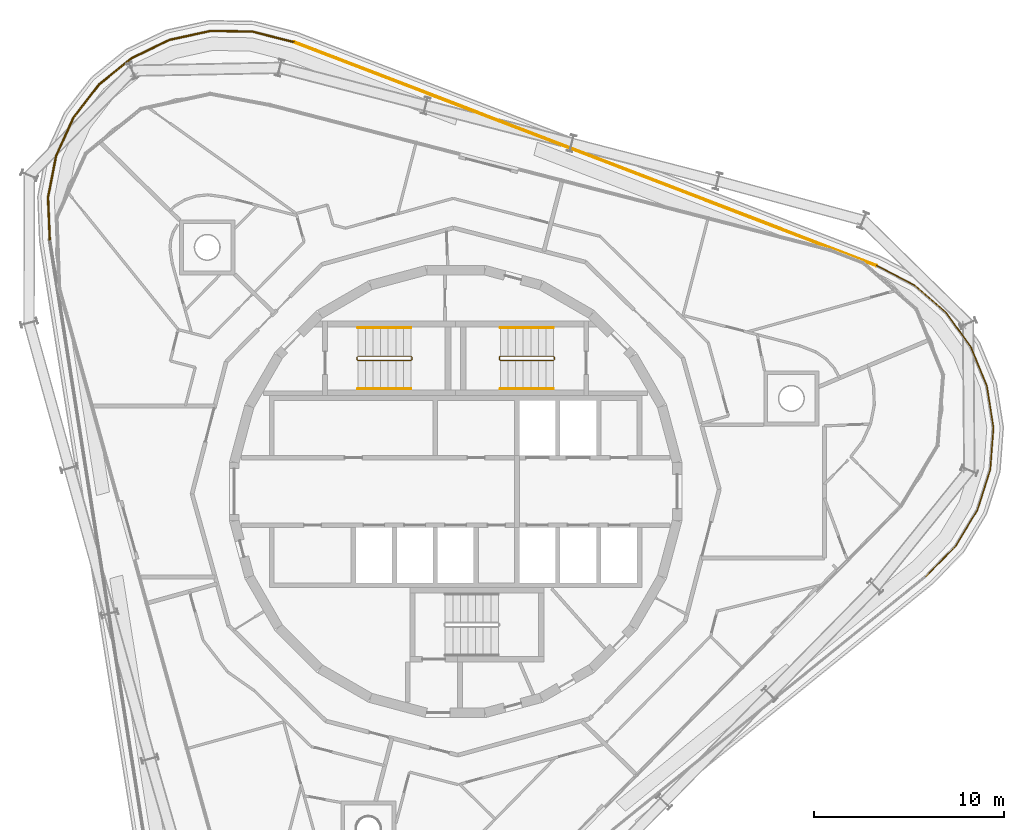
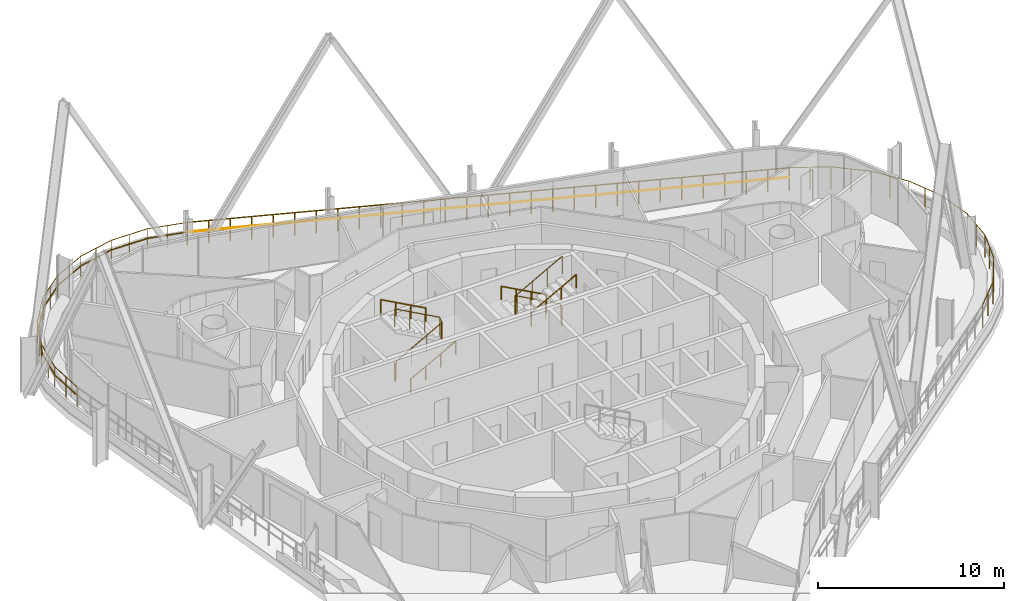
# One storey, part 17 of 18: 11 railings.
"""IFC4 building model written with IfcOpenShell, lengths in metres."""

from ifc_helpers import new_model, si_unit, direction, frame, origin, origin_2d, place, context, subcontext, project, spatial, circle, extrude, material, type_object, element, save


model = new_model("IFC4")

# Units and contexts
model_context = context("Model", 3, precision=1e-05, world=origin(), true_north=direction((0.0, 1.0)))
body_context = subcontext(model_context, "Body", "Model", "MODEL_VIEW")
ifc_project = project(units=[si_unit("LENGTHUNIT", "METRE"), si_unit("AREAUNIT", "SQUARE_METRE"), si_unit("VOLUMEUNIT", "CUBIC_METRE"), si_unit("PLANEANGLEUNIT", "RADIAN"), si_unit("MASSUNIT", "GRAM", prefix="KILO")], contexts=[model_context])

# Site, building, storey
site_placement = place(None, origin())
site = spatial("IfcSite", under=ifc_project, at=site_placement, CompositionType="ELEMENT")
building_placement = place(site_placement, origin())
building = spatial("IfcBuilding", under=site, at=building_placement, Name="Spindle Arch Residences", CompositionType="ELEMENT")
storey_placement = place(building_placement, frame((0.0, 0.0, 298.199951171875)))
storey = spatial("IfcBuildingStorey", under=building, at=storey_placement, Name="L76", CompositionType="ELEMENT", Elevation=298.199951171875)

# Railings
ifc_material_1 = material(Name="Steel, painted", Category="steel")
railing_type_1 = type_object("IfcRailingType", Name="Stair guard 1100", PredefinedType="GUARDRAIL", material=ifc_material_1)
railing_1_placement = place(storey_placement, frame((5.14990234375, 6.89990234375, 3.5)))
element("IfcRailing", 1, at=railing_1_placement, inside=storey, type_object=railing_type_1, Name="L76 ST1 stair guard 1", PredefinedType="GUARDRAIL", context=body_context, shape_type="SweptSolid", body=[
    extrude(circle(Radius=0.02392578125, at=origin_2d()), frame((0.0, 0.0, 1.17578125), z_axis=(-0.877357048833, 0.0, -0.479838106931), x_axis=(0.0, -1.0, 0.0)), (0.0, 0.0, 1.0), 3.191162109375),
    extrude(circle(Radius=0.02392578125, at=origin_2d()), frame((-2.7998046875, 0.0, -0.35546875), z_axis=(-0.217683172539, 0.217683172539, -0.951434744366), x_axis=(-0.707106781187, -0.707106781187, 0.0)), (0.0, 0.0, 1.0), 0.22998046875),
    extrude(circle(Radius=0.02392578125, at=origin_2d()), frame((-2.849853515625, 0.050048828125, -0.57421875), z_axis=(0.0, 1.0, 0.0), x_axis=(-1.0, 0.0, 0.0)), (0.0, 0.0, 1.0), 0.1201171875),
    extrude(circle(Radius=0.02392578125, at=origin_2d()), frame((-2.849853515625, 0.170166015625, -0.57421875), z_axis=(0.707106781187, 0.707106781187, 0.0), x_axis=(-0.707106781187, 0.707106781187, 0.0)), (0.0, 0.0, 1.0), 0.07080078125),
    extrude(circle(Radius=0.02392578125, at=origin_2d()), frame((-2.7998046875, 0.22021484375, -0.57421875), z_axis=(0.877357048833, 0.0, -0.479838106931), x_axis=(0.0, 1.0, 0.0)), (0.0, 0.0, 1.0), 3.191162109375),
    extrude(circle(Radius=0.02392578125, at=origin_2d()), frame((0.0, 0.22021484375, -2.10546875), z_axis=(0.217683172539, -0.217683172539, -0.951434744366), x_axis=(0.707106781187, 0.707106781187, 0.0)), (0.0, 0.0, 1.0), 0.22998046875),
    extrude(circle(Radius=0.02392578125, at=origin_2d()), frame((0.050048828125, 0.170166015625, -2.32421875), z_axis=(0.0, -1.0, 0.0), x_axis=(1.0, 0.0, 0.0)), (0.0, 0.0, 1.0), 0.1201171875),
    extrude(circle(Radius=0.02099609375, at=origin_2d()), origin(), (0.0, 0.0, 1.0), 1.15185546875),
    extrude(circle(Radius=0.02099609375, at=origin_2d()), frame((-0.933349609375, 0.0, -0.510498046875)), (0.0, 0.0, 1.0), 1.15185546875),
    extrude(circle(Radius=0.02099609375, at=origin_2d()), frame((-1.866455078125, 0.0, -1.020751953125)), (0.0, 0.0, 1.0), 1.15185546875),
    extrude(circle(Radius=0.02099609375, at=origin_2d()), frame((-2.7998046875, 0.0, -1.53125)), (0.0, 0.0, 1.0), 1.15185546875),
    extrude(circle(Radius=0.02099609375, at=origin_2d()), frame((-2.849853515625, 0.050048828125, -1.75)), (0.0, 0.0, 1.0), 1.15185546875),
    extrude(circle(Radius=0.02099609375, at=origin_2d()), frame((-2.849853515625, 0.170166015625, -1.75)), (0.0, 0.0, 1.0), 1.15185546875),
    extrude(circle(Radius=0.02099609375, at=origin_2d()), frame((-2.7998046875, 0.22021484375, -1.75)), (0.0, 0.0, 1.0), 1.15185546875),
    extrude(circle(Radius=0.02099609375, at=origin_2d()), frame((-1.866455078125, 0.22021484375, -2.260498046875)), (0.0, 0.0, 1.0), 1.15185546875),
    extrude(circle(Radius=0.02099609375, at=origin_2d()), frame((-0.933349609375, 0.22021484375, -2.770751953125)), (0.0, 0.0, 1.0), 1.15185546875),
    extrude(circle(Radius=0.02099609375, at=origin_2d()), frame((0.0, 0.22021484375, -3.28125)), (0.0, 0.0, 1.0), 1.15185546875),
    extrude(circle(Radius=0.02099609375, at=origin_2d()), frame((0.050048828125, 0.170166015625, -3.5)), (0.0, 0.0, 1.0), 1.15185546875),
    extrude(circle(Radius=0.02099609375, at=origin_2d()), frame((0.050048828125, 0.050048828125, -3.5)), (0.0, 0.0, 1.0), 1.15185546875),
])
railing_2_placement = place(storey_placement, frame((-5.14990234375, 7.1201171875, 3.5)))
element("IfcRailing", 2, at=railing_2_placement, inside=storey, type_object=railing_type_1, Name="L76 ST2 stair guard 1", PredefinedType="GUARDRAIL", context=body_context, shape_type="SweptSolid", body=[
    extrude(circle(Radius=0.02392578125, at=origin_2d()), frame((0.0, 0.0, 1.17578125), z_axis=(0.877357048833, 0.0, -0.479838106931), x_axis=(0.0, 1.0, 0.0)), (0.0, 0.0, 1.0), 3.191162109375),
    extrude(circle(Radius=0.02392578125, at=origin_2d()), frame((2.7998046875, 0.0, -0.35546875), z_axis=(0.217683172539, -0.217683172539, -0.951434744366), x_axis=(0.707106781187, 0.707106781187, 0.0)), (0.0, 0.0, 1.0), 0.22998046875),
    extrude(circle(Radius=0.02392578125, at=origin_2d()), frame((2.849853515625, -0.050048828125, -0.57421875), z_axis=(0.0, -1.0, 0.0), x_axis=(1.0, 0.0, 0.0)), (0.0, 0.0, 1.0), 0.1201171875),
    extrude(circle(Radius=0.02392578125, at=origin_2d()), frame((2.849853515625, -0.170166015625, -0.57421875), z_axis=(-0.707106781187, -0.707106781187, 0.0), x_axis=(0.707106781187, -0.707106781187, 0.0)), (0.0, 0.0, 1.0), 0.07080078125),
    extrude(circle(Radius=0.02392578125, at=origin_2d()), frame((2.7998046875, -0.22021484375, -0.57421875), z_axis=(-0.877357048833, 0.0, -0.479838106931), x_axis=(0.0, -1.0, 0.0)), (0.0, 0.0, 1.0), 3.191162109375),
    extrude(circle(Radius=0.02392578125, at=origin_2d()), frame((0.0, -0.22021484375, -2.10546875), z_axis=(-0.217683172539, 0.217683172539, -0.951434744366), x_axis=(-0.707106781187, -0.707106781187, 0.0)), (0.0, 0.0, 1.0), 0.22998046875),
    extrude(circle(Radius=0.02392578125, at=origin_2d()), frame((-0.050048828125, -0.170166015625, -2.32421875), z_axis=(0.0, 1.0, 0.0), x_axis=(-1.0, 0.0, 0.0)), (0.0, 0.0, 1.0), 0.1201171875),
    extrude(circle(Radius=0.02099609375, at=origin_2d()), origin(), (0.0, 0.0, 1.0), 1.15185546875),
    extrude(circle(Radius=0.02099609375, at=origin_2d()), frame((0.933349609375, 0.0, -0.510498046875)), (0.0, 0.0, 1.0), 1.15185546875),
    extrude(circle(Radius=0.02099609375, at=origin_2d()), frame((1.866455078125, 0.0, -1.020751953125)), (0.0, 0.0, 1.0), 1.15185546875),
    extrude(circle(Radius=0.02099609375, at=origin_2d()), frame((2.7998046875, 0.0, -1.53125)), (0.0, 0.0, 1.0), 1.15185546875),
    extrude(circle(Radius=0.02099609375, at=origin_2d()), frame((2.849853515625, -0.050048828125, -1.75)), (0.0, 0.0, 1.0), 1.15185546875),
    extrude(circle(Radius=0.02099609375, at=origin_2d()), frame((2.849853515625, -0.170166015625, -1.75)), (0.0, 0.0, 1.0), 1.15185546875),
    extrude(circle(Radius=0.02099609375, at=origin_2d()), frame((2.7998046875, -0.22021484375, -1.75)), (0.0, 0.0, 1.0), 1.15185546875),
    extrude(circle(Radius=0.02099609375, at=origin_2d()), frame((1.866455078125, -0.22021484375, -2.260498046875)), (0.0, 0.0, 1.0), 1.15185546875),
    extrude(circle(Radius=0.02099609375, at=origin_2d()), frame((0.933349609375, -0.22021484375, -2.770751953125)), (0.0, 0.0, 1.0), 1.15185546875),
    extrude(circle(Radius=0.02099609375, at=origin_2d()), frame((0.0, -0.22021484375, -3.28125)), (0.0, 0.0, 1.0), 1.15185546875),
    extrude(circle(Radius=0.02099609375, at=origin_2d()), frame((-0.050048828125, -0.170166015625, -3.5)), (0.0, 0.0, 1.0), 1.15185546875),
    extrude(circle(Radius=0.02099609375, at=origin_2d()), frame((-0.050048828125, -0.050048828125, -3.5)), (0.0, 0.0, 1.0), 1.15185546875),
])
ifc_material_2 = material(Name="Steel, painted", Category="steel")
railing_type_2 = type_object("IfcRailingType", Name="Stair handrail 900", PredefinedType="HANDRAIL", material=ifc_material_2)
railing_3_placement = place(storey_placement, frame((5.14990234375, 8.6201171875, 0.21875)))
element("IfcRailing", 3, at=railing_3_placement, inside=storey, type_object=railing_type_2, Name="L76 ST1 stair handrail 1", PredefinedType="HANDRAIL", context=body_context, shape_type="SweptSolid", body=[
    extrude(circle(Radius=0.02392578125, at=origin_2d()), frame((0.0, 0.0, 0.8759765625), z_axis=(-0.877357048833, 0.0, 0.479838106931), x_axis=(0.0, -1.0, 0.0)), (0.0, 0.0, 1.0), 3.191162109375),
    extrude(circle(Radius=0.02099609375, at=origin_2d()), origin(), (0.0, 0.0, 1.0), 0.851806640625),
    extrude(circle(Radius=0.02099609375, at=origin_2d()), frame((-0.933349609375, 0.0, 0.510498046875)), (0.0, 0.0, 1.0), 0.851806640625),
    extrude(circle(Radius=0.02099609375, at=origin_2d()), frame((-1.866455078125, 0.0, 1.020751953125)), (0.0, 0.0, 1.0), 0.851806640625),
    extrude(circle(Radius=0.02099609375, at=origin_2d()), frame((-2.7998046875, 0.0, 1.53125)), (0.0, 0.0, 1.0), 0.851806640625),
])
for number, where, name in (
    (4, (2.35009765625, 5.39990234375, 1.96875), "L76 ST1 stair handrail 2"),
    (5, (-5.14990234375, 5.39990234375, 0.21875), "L76 ST2 stair handrail 1"),
):
    element("IfcRailing", number, at=place(storey_placement, frame(where)), inside=storey, type_object=railing_type_2, Name=name, PredefinedType="HANDRAIL", context=body_context, shape_type="SweptSolid", body=[
        extrude(circle(Radius=0.02392578125, at=origin_2d()), frame((0.0, 0.0, 0.8759765625), z_axis=(0.877357048833, 0.0, 0.479838106931), x_axis=(0.0, 1.0, 0.0)), (0.0, 0.0, 1.0), 3.191162109375),
        extrude(circle(Radius=0.02099609375, at=origin_2d()), origin(), (0.0, 0.0, 1.0), 0.851806640625),
        extrude(circle(Radius=0.02099609375, at=origin_2d()), frame((0.933349609375, 0.0, 0.510498046875)), (0.0, 0.0, 1.0), 0.851806640625),
        extrude(circle(Radius=0.02099609375, at=origin_2d()), frame((1.866455078125, 0.0, 1.020751953125)), (0.0, 0.0, 1.0), 0.851806640625),
        extrude(circle(Radius=0.02099609375, at=origin_2d()), frame((2.7998046875, 0.0, 1.53125)), (0.0, 0.0, 1.0), 0.851806640625),
    ])
railing_4_placement = place(storey_placement, frame((-2.35009765625, 8.6201171875, 1.96875)))
element("IfcRailing", 6, at=railing_4_placement, inside=storey, type_object=railing_type_2, Name="L76 ST2 stair handrail 2", PredefinedType="HANDRAIL", context=body_context, shape_type="SweptSolid", body=[
    extrude(circle(Radius=0.02392578125, at=origin_2d()), frame((0.0, 0.0, 0.8759765625), z_axis=(-0.877357048833, 0.0, 0.479838106931), x_axis=(0.0, -1.0, 0.0)), (0.0, 0.0, 1.0), 3.191162109375),
    extrude(circle(Radius=0.02099609375, at=origin_2d()), origin(), (0.0, 0.0, 1.0), 0.851806640625),
    extrude(circle(Radius=0.02099609375, at=origin_2d()), frame((-0.933349609375, 0.0, 0.510498046875)), (0.0, 0.0, 1.0), 0.851806640625),
    extrude(circle(Radius=0.02099609375, at=origin_2d()), frame((-1.866455078125, 0.0, 1.020751953125)), (0.0, 0.0, 1.0), 0.851806640625),
    extrude(circle(Radius=0.02099609375, at=origin_2d()), frame((-2.7998046875, 0.0, 1.53125)), (0.0, 0.0, 1.0), 0.851806640625),
])
ifc_material_3 = material(Name="Bronze anodised aluminium guard with glass infill", Category="aluminium")
railing_type_3 = type_object("IfcRailingType", Name="Terrace guard 1500", PredefinedType="GUARDRAIL", material=ifc_material_3)
railing_5_placement = place(storey_placement, frame((-21.380126953125, 13.23486328125, 0.030029296875)))
element("IfcRailing", 7, at=railing_5_placement, inside=storey, type_object=railing_type_3, Name="Terrace guard L75 4", PredefinedType="GUARDRAIL", context=body_context, shape_type="SweptSolid", body=[
    extrude(circle(Radius=0.02392578125, at=origin_2d()), frame((0.0, 0.0, 1.47607421875), z_axis=(-0.040713796438, 0.999170849645, 0.0), x_axis=(-0.999170849645, -0.040713796438, 0.0)), (0.0, 0.0, 1.0), 2.248779296875),
    extrude(circle(Radius=0.02392578125, at=origin_2d()), frame((-0.091552734375, 2.246826171875, 1.47607421875), z_axis=(0.190775316349, 0.981633729388, 0.0), x_axis=(-0.981633729388, 0.190775316349, 0.0)), (0.0, 0.0, 1.0), 2.216552734375),
    extrude(circle(Radius=0.02392578125, at=origin_2d()), frame((0.331298828125, 4.422607421875, 1.47607421875), z_axis=(0.41202636991, 0.911171921483, 0.0), x_axis=(-0.911171921483, 0.41202636991, 0.0)), (0.0, 0.0, 1.0), 2.216796875),
    extrude(circle(Radius=0.02392578125, at=origin_2d()), frame((1.24462890625, 6.4423828125, 1.47607421875), z_axis=(0.611115143099, 0.791541712024, 0.0), x_axis=(-0.791541712024, 0.611115143099, 0.0)), (0.0, 0.0, 1.0), 2.21630859375),
    extrude(circle(Radius=0.02392578125, at=origin_2d()), frame((2.59912109375, 8.19677734375, 1.47607421875), z_axis=(0.777093508013, 0.62938516014, 0.0), x_axis=(-0.62938516014, 0.777093508013, 0.0)), (0.0, 0.0, 1.0), 2.216552734375),
    extrude(circle(Radius=0.02392578125, at=origin_2d()), frame((4.321533203125, 9.591796875, 1.47607421875), z_axis=(0.901344222183, 0.433103443923, 0.0), x_axis=(-0.433103443923, 0.901344222183, 0.0)), (0.0, 0.0, 1.0), 2.216552734375),
    extrude(circle(Radius=0.02392578125, at=origin_2d()), frame((6.3193359375, 10.5517578125, 1.47607421875), z_axis=(0.9769251615, 0.213581901922, 0.0), x_axis=(-0.213581901922, 0.9769251615, 0.0)), (0.0, 0.0, 1.0), 2.21630859375),
    extrude(circle(Radius=0.02392578125, at=origin_2d()), frame((8.484619140625, 11.025146484375, 1.47607421875), z_axis=(0.999848572356, -0.01740207914, 0.0), x_axis=(0.01740207914, 0.999848572356, 0.0)), (0.0, 0.0, 1.0), 2.216552734375),
    extrude(circle(Radius=0.02392578125, at=origin_2d()), frame((10.700927734375, 10.986572265625, 1.47607421875), z_axis=(0.968877832171, -0.247539383387, 0.0), x_axis=(0.247539383387, 0.968877832171, 0.0)), (0.0, 0.0, 1.0), 2.248779296875),
    extrude(circle(Radius=0.02099609375, at=origin_2d()), origin(), (0.0, 0.0, 1.0), 1.451904296875),
    extrude(circle(Radius=0.02099609375, at=origin_2d()), frame((-0.0458984375, 1.12353515625, 0.0)), (0.0, 0.0, 1.0), 1.451904296875),
    extrude(circle(Radius=0.02099609375, at=origin_2d()), frame((-0.091552734375, 2.246826171875, 0.0)), (0.0, 0.0, 1.0), 1.451904296875),
    extrude(circle(Radius=0.02099609375, at=origin_2d()), frame((0.119873046875, 3.334716796875, 0.0)), (0.0, 0.0, 1.0), 1.451904296875),
    extrude(circle(Radius=0.02099609375, at=origin_2d()), frame((0.331298828125, 4.422607421875, 0.0)), (0.0, 0.0, 1.0), 1.451904296875),
    extrude(circle(Radius=0.02099609375, at=origin_2d()), frame((0.7880859375, 5.4326171875, 0.0)), (0.0, 0.0, 1.0), 1.451904296875),
    extrude(circle(Radius=0.02099609375, at=origin_2d()), frame((1.24462890625, 6.4423828125, 0.0)), (0.0, 0.0, 1.0), 1.451904296875),
    extrude(circle(Radius=0.02099609375, at=origin_2d()), frame((1.921875, 7.319580078125, 0.0)), (0.0, 0.0, 1.0), 1.451904296875),
    extrude(circle(Radius=0.02099609375, at=origin_2d()), frame((2.59912109375, 8.19677734375, 0.0)), (0.0, 0.0, 1.0), 1.451904296875),
    extrude(circle(Radius=0.02099609375, at=origin_2d()), frame((3.46044921875, 8.894287109375, 0.0)), (0.0, 0.0, 1.0), 1.451904296875),
    extrude(circle(Radius=0.02099609375, at=origin_2d()), frame((4.321533203125, 9.591796875, 0.0)), (0.0, 0.0, 1.0), 1.451904296875),
    extrude(circle(Radius=0.02099609375, at=origin_2d()), frame((5.3203125, 10.07177734375, 0.0)), (0.0, 0.0, 1.0), 1.451904296875),
    extrude(circle(Radius=0.02099609375, at=origin_2d()), frame((6.3193359375, 10.5517578125, 0.0)), (0.0, 0.0, 1.0), 1.451904296875),
    extrude(circle(Radius=0.02099609375, at=origin_2d()), frame((7.40185546875, 10.78857421875, 0.0)), (0.0, 0.0, 1.0), 1.451904296875),
    extrude(circle(Radius=0.02099609375, at=origin_2d()), frame((8.484619140625, 11.025146484375, 0.0)), (0.0, 0.0, 1.0), 1.451904296875),
    extrude(circle(Radius=0.02099609375, at=origin_2d()), frame((9.5927734375, 11.005859375, 0.0)), (0.0, 0.0, 1.0), 1.451904296875),
    extrude(circle(Radius=0.02099609375, at=origin_2d()), frame((10.700927734375, 10.986572265625, 0.0)), (0.0, 0.0, 1.0), 1.451904296875),
    extrude(circle(Radius=0.02099609375, at=origin_2d()), frame((11.790283203125, 10.708251953125, 0.0)), (0.0, 0.0, 1.0), 1.451904296875),
    extrude(circle(Radius=0.02099609375, at=origin_2d()), frame((12.879638671875, 10.429931640625, 0.0)), (0.0, 0.0, 1.0), 1.451904296875),
])
railing_6_placement = place(storey_placement, frame((-8.50048828125, 23.664794921875, 0.030029296875)))
element("IfcRailing", 8, at=railing_6_placement, inside=storey, type_object=railing_type_3, Name="Terrace guard L75 5", PredefinedType="GUARDRAIL", context=body_context, shape_type="SweptSolid", body=[
    extrude(circle(Radius=0.02392578125, at=origin_2d()), frame((0.0, 0.0, 1.47607421875), z_axis=(0.93358017107, -0.358368614954, 0.0), x_axis=(0.358368614954, 0.93358017107, 0.0)), (0.0, 0.0, 1.0), 32.8330078125),
    extrude(circle(Radius=0.02099609375, at=origin_2d()), origin(), (0.0, 0.0, 1.0), 1.451904296875),
    extrude(circle(Radius=0.02099609375, at=origin_2d()), frame((1.0947265625, -0.420166015625, 0.0)), (0.0, 0.0, 1.0), 1.451904296875),
    extrude(circle(Radius=0.02099609375, at=origin_2d()), frame((2.189453125, -0.84033203125, 0.0)), (0.0, 0.0, 1.0), 1.451904296875),
    extrude(circle(Radius=0.02099609375, at=origin_2d()), frame((3.2841796875, -1.2607421875, 0.0)), (0.0, 0.0, 1.0), 1.451904296875),
    extrude(circle(Radius=0.02099609375, at=origin_2d()), frame((4.37890625, -1.680908203125, 0.0)), (0.0, 0.0, 1.0), 1.451904296875),
    extrude(circle(Radius=0.02099609375, at=origin_2d()), frame((5.4736328125, -2.10107421875, 0.0)), (0.0, 0.0, 1.0), 1.451904296875),
    extrude(circle(Radius=0.02099609375, at=origin_2d()), frame((6.568359375, -2.521484375, 0.0)), (0.0, 0.0, 1.0), 1.451904296875),
    extrude(circle(Radius=0.02099609375, at=origin_2d()), frame((7.6630859375, -2.941650390625, 0.0)), (0.0, 0.0, 1.0), 1.451904296875),
    extrude(circle(Radius=0.02099609375, at=origin_2d()), frame((8.7578125, -3.36181640625, 0.0)), (0.0, 0.0, 1.0), 1.451904296875),
    extrude(circle(Radius=0.02099609375, at=origin_2d()), frame((9.8525390625, -3.781982421875, 0.0)), (0.0, 0.0, 1.0), 1.451904296875),
    extrude(circle(Radius=0.02099609375, at=origin_2d()), frame((10.947265625, -4.2021484375, 0.0)), (0.0, 0.0, 1.0), 1.451904296875),
    extrude(circle(Radius=0.02099609375, at=origin_2d()), frame((12.0419921875, -4.62255859375, 0.0)), (0.0, 0.0, 1.0), 1.451904296875),
    extrude(circle(Radius=0.02099609375, at=origin_2d()), frame((13.13671875, -5.042724609375, 0.0)), (0.0, 0.0, 1.0), 1.451904296875),
    extrude(circle(Radius=0.02099609375, at=origin_2d()), frame((14.2314453125, -5.462890625, 0.0)), (0.0, 0.0, 1.0), 1.451904296875),
    extrude(circle(Radius=0.02099609375, at=origin_2d()), frame((15.326171875, -5.88330078125, 0.0)), (0.0, 0.0, 1.0), 1.451904296875),
    extrude(circle(Radius=0.02099609375, at=origin_2d()), frame((16.4208984375, -6.303466796875, 0.0)), (0.0, 0.0, 1.0), 1.451904296875),
    extrude(circle(Radius=0.02099609375, at=origin_2d()), frame((17.515625, -6.7236328125, 0.0)), (0.0, 0.0, 1.0), 1.451904296875),
    extrude(circle(Radius=0.02099609375, at=origin_2d()), frame((18.6103515625, -7.143798828125, 0.0)), (0.0, 0.0, 1.0), 1.451904296875),
    extrude(circle(Radius=0.02099609375, at=origin_2d()), frame((19.705078125, -7.564208984375, 0.0)), (0.0, 0.0, 1.0), 1.451904296875),
    extrude(circle(Radius=0.02099609375, at=origin_2d()), frame((20.7998046875, -7.984375, 0.0)), (0.0, 0.0, 1.0), 1.451904296875),
    extrude(circle(Radius=0.02099609375, at=origin_2d()), frame((21.89453125, -8.404541015625, 0.0)), (0.0, 0.0, 1.0), 1.451904296875),
    extrude(circle(Radius=0.02099609375, at=origin_2d()), frame((22.9892578125, -8.82470703125, 0.0)), (0.0, 0.0, 1.0), 1.451904296875),
    extrude(circle(Radius=0.02099609375, at=origin_2d()), frame((24.083984375, -9.2451171875, 0.0)), (0.0, 0.0, 1.0), 1.451904296875),
    extrude(circle(Radius=0.02099609375, at=origin_2d()), frame((25.1787109375, -9.665283203125, 0.0)), (0.0, 0.0, 1.0), 1.451904296875),
    extrude(circle(Radius=0.02099609375, at=origin_2d()), frame((26.2734375, -10.08544921875, 0.0)), (0.0, 0.0, 1.0), 1.451904296875),
    extrude(circle(Radius=0.02099609375, at=origin_2d()), frame((27.3681640625, -10.505615234375, 0.0)), (0.0, 0.0, 1.0), 1.451904296875),
    extrude(circle(Radius=0.02099609375, at=origin_2d()), frame((28.462890625, -10.92578125, 0.0)), (0.0, 0.0, 1.0), 1.451904296875),
    extrude(circle(Radius=0.02099609375, at=origin_2d()), frame((29.5576171875, -11.34619140625, 0.0)), (0.0, 0.0, 1.0), 1.451904296875),
    extrude(circle(Radius=0.02099609375, at=origin_2d()), frame((30.65234375, -11.766357421875, 0.0)), (0.0, 0.0, 1.0), 1.451904296875),
])
railing_7_placement = place(storey_placement, frame((22.15185546875, 11.8984375, 0.030029296875)))
element("IfcRailing", 9, at=railing_7_placement, inside=storey, type_object=railing_type_3, Name="Terrace guard L75 6", PredefinedType="GUARDRAIL", context=body_context, shape_type="SweptSolid", body=[
    extrude(circle(Radius=0.02392578125, at=origin_2d()), frame((0.0, 0.0, 1.47607421875), z_axis=(0.88566360906, -0.464327440053, 0.0), x_axis=(0.464327440053, 0.88566360906, 0.0)), (0.0, 0.0, 1.0), 2.248779296875),
    extrude(circle(Radius=0.02392578125, at=origin_2d()), frame((1.99169921875, -1.044189453125, 1.47607421875), z_axis=(0.754728816825, -0.656036899155, 0.0), x_axis=(0.656036899155, 0.754728816825, 0.0)), (0.0, 0.0, 1.0), 2.216552734375),
    extrude(circle(Radius=0.02392578125, at=origin_2d()), frame((3.66455078125, -2.498291015625, 1.47607421875), z_axis=(0.58301853454, -0.812458853347, 0.0), x_axis=(0.812458853347, 0.58301853454, 0.0)), (0.0, 0.0, 1.0), 2.216552734375),
    extrude(circle(Radius=0.02392578125, at=origin_2d()), frame((4.956787109375, -4.299072265625, 1.47607421875), z_axis=(0.379996268894, -0.92498801918, 0.0), x_axis=(0.92498801918, 0.379996268894, 0.0)), (0.0, 0.0, 1.0), 2.216552734375),
    extrude(circle(Radius=0.02392578125, at=origin_2d()), frame((5.799072265625, -6.349365234375, 1.47607421875), z_axis=(0.156409398984, -0.987692310342, 0.0), x_axis=(0.987692310342, 0.156409398984, 0.0)), (0.0, 0.0, 1.0), 2.216552734375),
    extrude(circle(Radius=0.02392578125, at=origin_2d()), frame((6.145751953125, -8.53857421875, 1.47607421875), z_axis=(-0.075559365435, -0.997141305079, 0.0), x_axis=(0.997141305079, -0.075559365435, 0.0)), (0.0, 0.0, 1.0), 2.216552734375),
    extrude(circle(Radius=0.02392578125, at=origin_2d()), frame((5.978271484375, -10.748779296875, 1.47607421875), z_axis=(-0.303444598815, -0.95284908325, 0.0), x_axis=(0.95284908325, -0.303444598815, 0.0)), (0.0, 0.0, 1.0), 2.216552734375),
    extrude(circle(Radius=0.02392578125, at=origin_2d()), frame((5.3056640625, -12.86083984375, 1.47607421875), z_axis=(-0.515046383256, -0.85716230849, 0.0), x_axis=(0.85716230849, -0.515046383256, 0.0)), (0.0, 0.0, 1.0), 2.216552734375),
    extrude(circle(Radius=0.02392578125, at=origin_2d()), frame((4.1640625, -14.7607421875, 1.47607421875), z_axis=(-0.698862266608, -0.715256270376, 0.0), x_axis=(0.715256270376, -0.698862266608, 0.0)), (0.0, 0.0, 1.0), 2.248779296875),
    extrude(circle(Radius=0.02099609375, at=origin_2d()), origin(), (0.0, 0.0, 1.0), 1.451904296875),
    extrude(circle(Radius=0.02099609375, at=origin_2d()), frame((0.995849609375, -0.52197265625, 0.0)), (0.0, 0.0, 1.0), 1.451904296875),
    extrude(circle(Radius=0.02099609375, at=origin_2d()), frame((1.99169921875, -1.044189453125, 0.0)), (0.0, 0.0, 1.0), 1.451904296875),
    extrude(circle(Radius=0.02099609375, at=origin_2d()), frame((2.828125, -1.771240234375, 0.0)), (0.0, 0.0, 1.0), 1.451904296875),
    extrude(circle(Radius=0.02099609375, at=origin_2d()), frame((3.66455078125, -2.498291015625, 0.0)), (0.0, 0.0, 1.0), 1.451904296875),
    extrude(circle(Radius=0.02099609375, at=origin_2d()), frame((4.310546875, -3.398681640625, 0.0)), (0.0, 0.0, 1.0), 1.451904296875),
    extrude(circle(Radius=0.02099609375, at=origin_2d()), frame((4.956787109375, -4.299072265625, 0.0)), (0.0, 0.0, 1.0), 1.451904296875),
    extrude(circle(Radius=0.02099609375, at=origin_2d()), frame((5.3779296875, -5.32421875, 0.0)), (0.0, 0.0, 1.0), 1.451904296875),
    extrude(circle(Radius=0.02099609375, at=origin_2d()), frame((5.799072265625, -6.349365234375, 0.0)), (0.0, 0.0, 1.0), 1.451904296875),
    extrude(circle(Radius=0.02099609375, at=origin_2d()), frame((5.972412109375, -7.44384765625, 0.0)), (0.0, 0.0, 1.0), 1.451904296875),
    extrude(circle(Radius=0.02099609375, at=origin_2d()), frame((6.145751953125, -8.53857421875, 0.0)), (0.0, 0.0, 1.0), 1.451904296875),
    extrude(circle(Radius=0.02099609375, at=origin_2d()), frame((6.06201171875, -9.6435546875, 0.0)), (0.0, 0.0, 1.0), 1.451904296875),
    extrude(circle(Radius=0.02099609375, at=origin_2d()), frame((5.978271484375, -10.748779296875, 0.0)), (0.0, 0.0, 1.0), 1.451904296875),
    extrude(circle(Radius=0.02099609375, at=origin_2d()), frame((5.64208984375, -11.8046875, 0.0)), (0.0, 0.0, 1.0), 1.451904296875),
    extrude(circle(Radius=0.02099609375, at=origin_2d()), frame((5.3056640625, -12.86083984375, 0.0)), (0.0, 0.0, 1.0), 1.451904296875),
    extrude(circle(Radius=0.02099609375, at=origin_2d()), frame((4.73486328125, -13.810791015625, 0.0)), (0.0, 0.0, 1.0), 1.451904296875),
    extrude(circle(Radius=0.02099609375, at=origin_2d()), frame((4.1640625, -14.7607421875, 0.0)), (0.0, 0.0, 1.0), 1.451904296875),
    extrude(circle(Radius=0.02099609375, at=origin_2d()), frame((3.37841796875, -15.56494140625, 0.0)), (0.0, 0.0, 1.0), 1.451904296875),
    extrude(circle(Radius=0.02099609375, at=origin_2d()), frame((2.592529296875, -16.369140625, 0.0)), (0.0, 0.0, 1.0), 1.451904296875),
])
ifc_material_4 = material(Name="Bronze anodised aluminium handrail", Category="aluminium")
railing_type_4 = type_object("IfcRailingType", Name="Terrace handrail 900", PredefinedType="HANDRAIL", material=ifc_material_4)
railing_8_placement = place(storey_placement, frame((-21.33837890625, 13.239013671875, 0.030029296875)))
element("IfcRailing", 10, at=railing_8_placement, inside=storey, type_object=railing_type_4, Name="Terrace handrail L75 4", PredefinedType="HANDRAIL", context=body_context, shape_type="SweptSolid", body=[
    extrude(circle(Radius=0.02392578125, at=origin_2d()), frame((0.0, 0.0, 0.8759765625), z_axis=(-0.040737984198, 0.999169863759, 0.0), x_axis=(-0.999169863759, -0.040737984198, 0.0)), (0.0, 0.0, 1.0), 2.241455078125),
    extrude(circle(Radius=0.02392578125, at=origin_2d()), frame((-0.09130859375, 2.239501953125, 0.8759765625), z_axis=(0.190837086836, 0.981621722604, 0.0), x_axis=(-0.981621722604, 0.190837086836, 0.0)), (0.0, 0.0, 1.0), 2.206787109375),
    extrude(circle(Radius=0.02392578125, at=origin_2d()), frame((0.329833984375, 4.40576171875, 0.8759765625), z_axis=(0.412043214269, 0.911164304379, 0.0), x_axis=(-0.911164304379, 0.412043214269, 0.0)), (0.0, 0.0, 1.0), 2.20654296875),
    extrude(circle(Radius=0.02392578125, at=origin_2d()), frame((1.239013671875, 6.416259765625, 0.8759765625), z_axis=(0.611041231317, 0.791598770609, 0.0), x_axis=(-0.791598770609, 0.611041231317, 0.0)), (0.0, 0.0, 1.0), 2.206787109375),
    extrude(circle(Radius=0.02392578125, at=origin_2d()), frame((2.58740234375, 8.1630859375, 0.8759765625), z_axis=(0.777185611262, 0.629271424464, 0.0), x_axis=(-0.629271424464, 0.777185611262, 0.0)), (0.0, 0.0, 1.0), 2.206787109375),
    extrude(circle(Radius=0.02392578125, at=origin_2d()), frame((4.302490234375, 9.5517578125, 0.8759765625), z_axis=(0.901310580412, 0.43317344983, 0.0), x_axis=(-0.43317344983, 0.901310580412, 0.0)), (0.0, 0.0, 1.0), 2.20654296875),
    extrude(circle(Radius=0.02392578125, at=origin_2d()), frame((6.291259765625, 10.507568359375, 0.8759765625), z_axis=(0.976913007292, 0.213637487778, 0.0), x_axis=(-0.213637487778, 0.976913007292, 0.0)), (0.0, 0.0, 1.0), 2.206787109375),
    extrude(circle(Radius=0.02392578125, at=origin_2d()), frame((8.447021484375, 10.97900390625, 0.8759765625), z_axis=(0.999847229333, -0.017479073051, 0.0), x_axis=(0.017479073051, 0.999847229333, 0.0)), (0.0, 0.0, 1.0), 2.206787109375),
    extrude(circle(Radius=0.02392578125, at=origin_2d()), frame((10.653564453125, 10.9404296875, 0.8759765625), z_axis=(0.968867140649, -0.24758122661, 0.0), x_axis=(0.24758122661, 0.968867140649, 0.0)), (0.0, 0.0, 1.0), 2.241455078125),
])
railing_9_placement = place(storey_placement, frame((-8.51318359375, 23.62451171875, 0.030029296875)))
element("IfcRailing", 11, at=railing_9_placement, inside=storey, type_object=railing_type_4, Name="Terrace handrail L75 5", PredefinedType="HANDRAIL", context=body_context, shape_type="SweptSolid", body=[
    extrude(circle(Radius=0.02392578125, at=origin_2d()), frame((0.0, 0.0, 0.8759765625), z_axis=(0.933581929104, -0.358364035096, 0.0), x_axis=(0.358364035096, 0.933581929104, 0.0)), (0.0, 0.0, 1.0), 32.828125),
])

save(model, "model.ifc")
